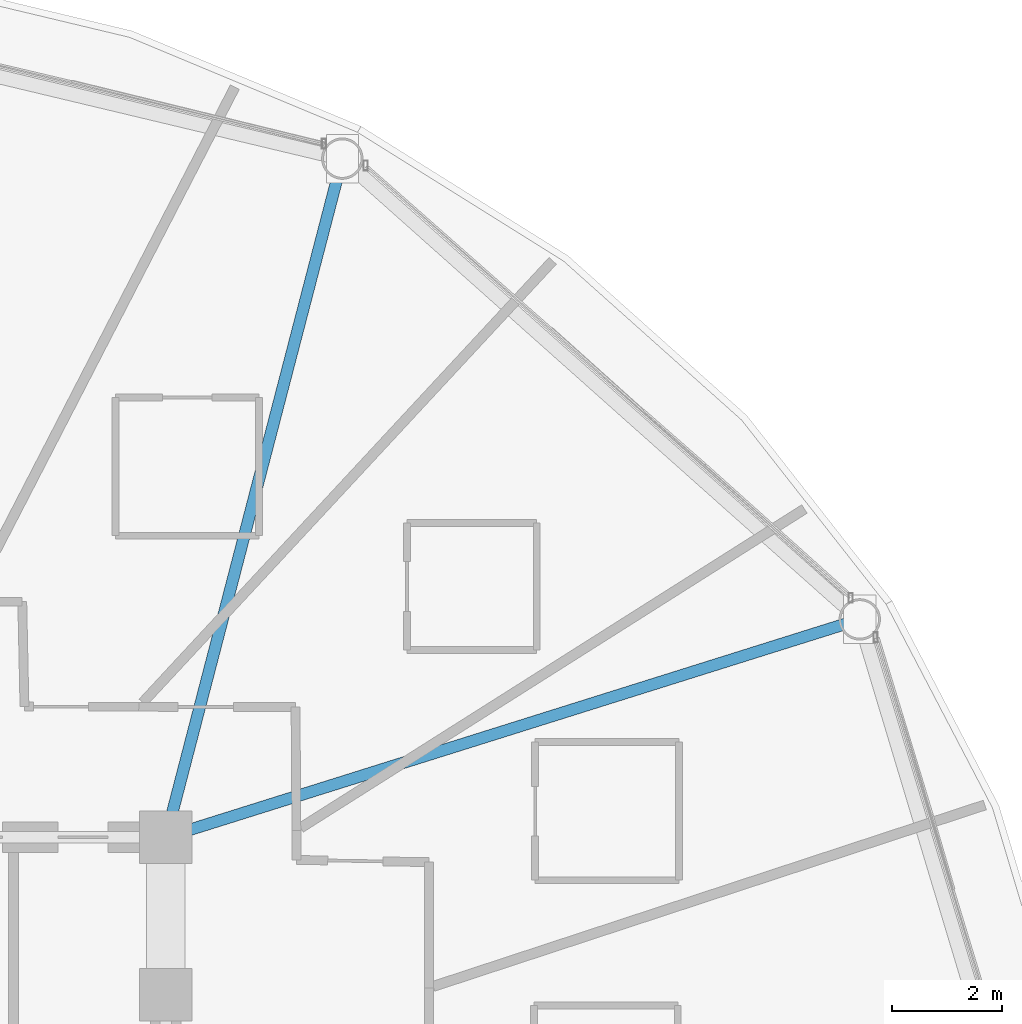
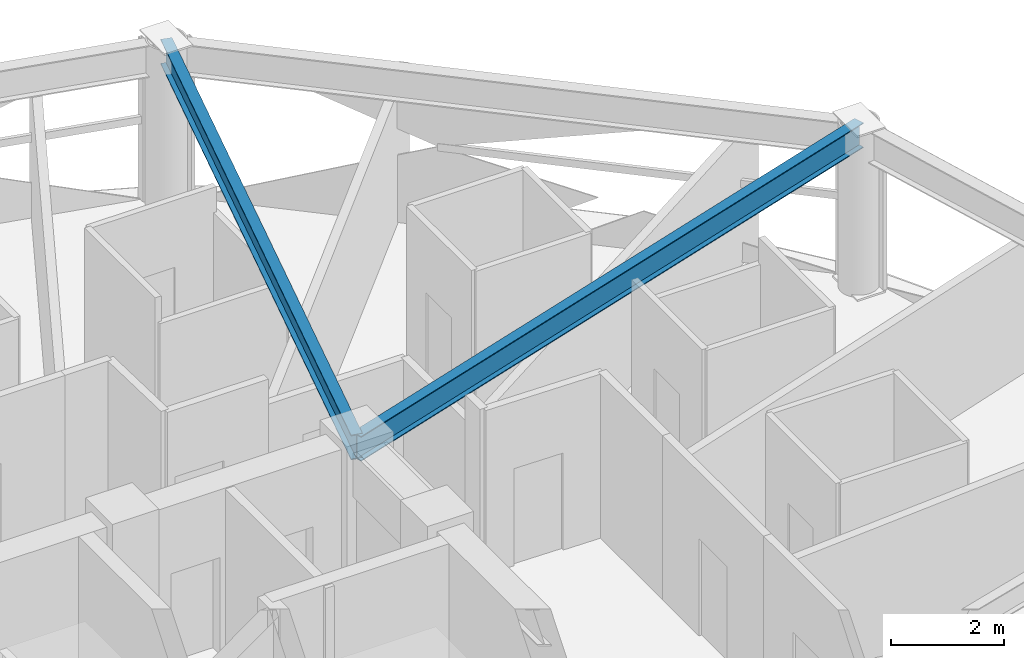
# One storey, part 19 of 32: 2 beams.
"""IFC4 building model written with IfcOpenShell, lengths in metres."""

from ifc_helpers import new_model, si_unit, direction, frame, origin, origin_2d, place, context, subcontext, project, spatial, i_section, extrude, material, material_profile, profile_set, type_object, element, save


model = new_model("IFC4")

# Units and contexts
model_context = context("Model", 3, precision=1e-05, world=origin(), true_north=direction((0.0, 1.0)))
body_context = subcontext(model_context, "Body", "Model", "MODEL_VIEW")
ifc_project = project(units=[si_unit("LENGTHUNIT", "METRE"), si_unit("AREAUNIT", "SQUARE_METRE"), si_unit("VOLUMEUNIT", "CUBIC_METRE"), si_unit("PLANEANGLEUNIT", "RADIAN"), si_unit("MASSUNIT", "GRAM", prefix="KILO")], contexts=[model_context])

# Site, building, storey
site_placement = place(None, origin())
site = spatial("IfcSite", under=ifc_project, at=site_placement, CompositionType="ELEMENT")
building_placement = place(site_placement, origin())
building = spatial("IfcBuilding", under=site, at=building_placement, Name="Vantalir Tower", CompositionType="ELEMENT")
storey_placement = place(building_placement, frame((0.0, 0.0, 108.449951171875)))
storey = spatial("IfcBuildingStorey", under=building, at=storey_placement, Name="L26", CompositionType="ELEMENT", Elevation=108.449951171875)

# Beams
ifc_material = material(Name="Steel S355", Category="steel")
ifc_material_profile = material_profile(ifc_material, i_section(OverallWidth=0.2109375, OverallDepth=0.5390625, WebThickness=0.01171875, FlangeThickness=0.018798828125, at=origin_2d()), Name="Steel S355")
ifc_profile_set = profile_set([ifc_material_profile], Name="Steel S355")
beam_type = type_object("IfcBeamType", Name="BM-RB-533x210", PredefinedType="BEAM", material=ifc_profile_set)
beam_1_placement = place(storey_placement, frame((53.659912109375, 36.39404296875, 3.300048828125), z_axis=(-0.954064922814, -0.299599938343, 0.0), x_axis=(0.299599938343, -0.954064922814, 0.0)))
element("IfcBeam", 1, at=beam_1_placement, inside=storey, type_object=beam_type, Name="L26 Radial Floor Beam 02", PredefinedType="BEAM", context=body_context, shape_type="SweptSolid", body=[
    extrude(i_section(OverallWidth=0.2109375, OverallDepth=0.5390625, WebThickness=0.01171875, FlangeThickness=0.018798828125, at=origin_2d()), origin(), (0.0, 0.0, 1.0), 13.16455078125),
])
beam_2_placement = place(storey_placement, frame((44.2939453125, 44.735107421875, 3.300048828125), z_axis=(-0.251612232967, -0.967828127418, 0.0), x_axis=(0.967828127418, -0.251612232967, 0.0)))
element("IfcBeam", 2, at=beam_2_placement, inside=storey, type_object=beam_type, Name="L26 Radial Floor Beam 03", PredefinedType="BEAM", context=body_context, shape_type="SweptSolid", body=[
    extrude(i_section(OverallWidth=0.2109375, OverallDepth=0.5390625, WebThickness=0.01171875, FlangeThickness=0.018798828125, at=origin_2d()), origin(), (0.0, 0.0, 1.0), 12.693603515625),
])

save(model, "model.ifc")
